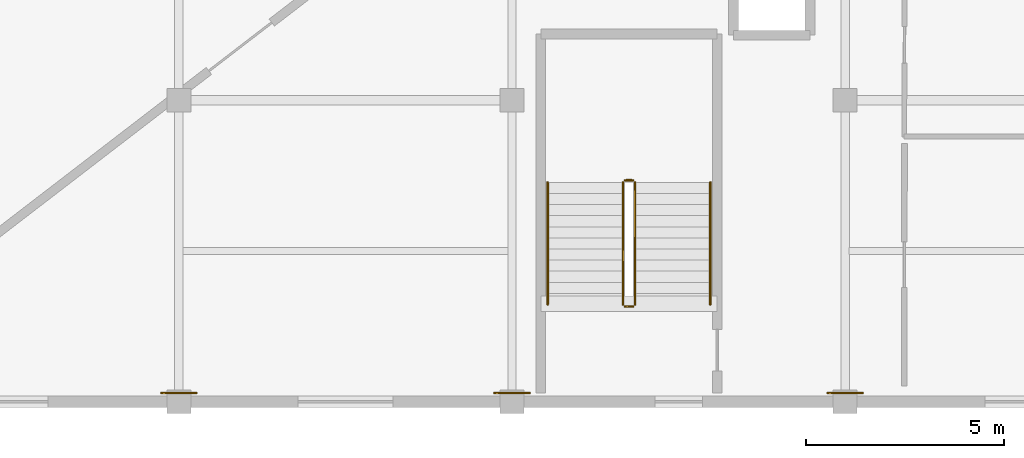
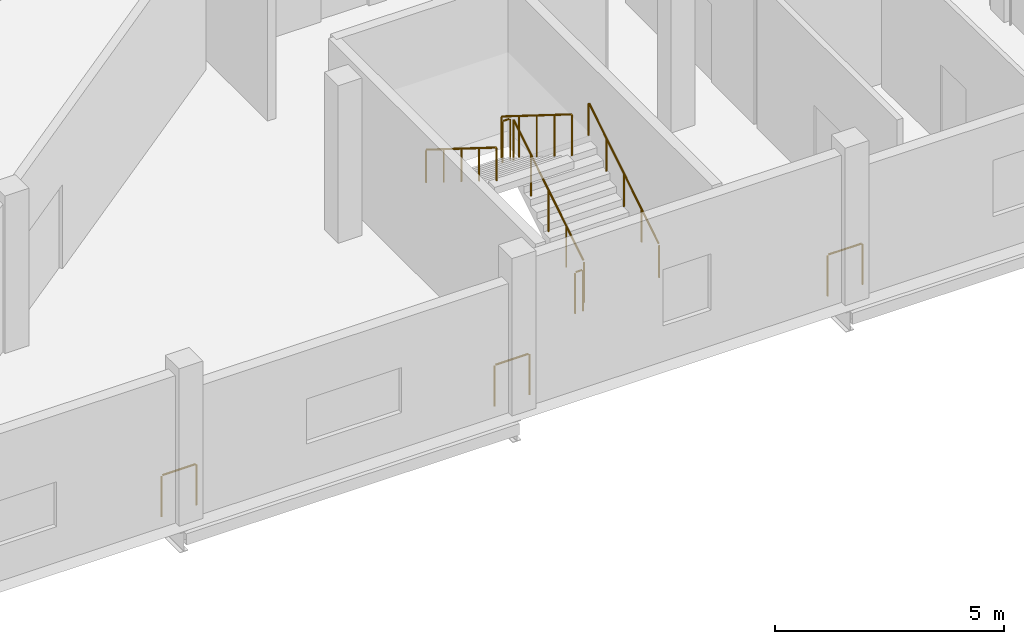
# One storey, part 208 of 217: 9 railings.
"""IFC4 building model written with IfcOpenShell, lengths in metres."""

from ifc_helpers import new_model, si_unit, direction, frame, origin, origin_2d, place, context, subcontext, project, spatial, circle, extrude, material, type_object, element, save


model = new_model("IFC4")

# Units and contexts
model_context = context("Model", 3, precision=1e-05, world=origin(), true_north=direction((0.0, 1.0)))
body_context = subcontext(model_context, "Body", "Model", "MODEL_VIEW")
ifc_project = project(units=[si_unit("LENGTHUNIT", "METRE"), si_unit("AREAUNIT", "SQUARE_METRE"), si_unit("VOLUMEUNIT", "CUBIC_METRE"), si_unit("PLANEANGLEUNIT", "RADIAN"), si_unit("MASSUNIT", "GRAM", prefix="KILO")], contexts=[model_context])

# Site, building, storey
site_placement = place(None, origin())
site = spatial("IfcSite", under=ifc_project, at=site_placement, CompositionType="ELEMENT")
building_placement = place(site_placement, origin())
building = spatial("IfcBuilding", under=site, at=building_placement, Name="Zuvorla Pavilion Media Centre", CompositionType="ELEMENT")
storey_placement = place(building_placement, frame((0.0, 0.0, 9.60009765625)))
storey = spatial("IfcBuildingStorey", under=building, at=storey_placement, Name="L02", CompositionType="ELEMENT", Elevation=9.60009765625)

# Railings
ifc_material_1 = material(Name="Powder-coated steel balustrade guard", Category="steel")
railing_type_1 = type_object("IfcRailingType", Name="RL-INT-GRD", PredefinedType="BALUSTRADE", material=ifc_material_1)
railing_1_placement = place(storey_placement, frame((95.10009765625, 8.449951171875, 0.1748046875)))
element("IfcRailing", 1, at=railing_1_placement, inside=storey, type_object=railing_type_1, Name="L02 ST-02 stair guard 1", PredefinedType="BALUSTRADE", context=body_context, shape_type="SweptSolid", body=[
    extrude(circle(Radius=0.02392578125, at=origin_2d()), frame((0.0, 0.0244140625, 1.111328125), z_axis=(0.0, 0.847998304005, 0.529998940003), x_axis=(-1.0, 0.0, 0.0)), (0.0, 0.0, 1.0), 3.574462890625),
    extrude(circle(Radius=0.02099609375, at=origin_2d()), origin(), (0.0, 0.0, 1.0), 1.070068359375),
    extrude(circle(Radius=0.02099609375, at=origin_2d()), frame((0.0, 0.77001953125, 0.481201171875)), (0.0, 0.0, 1.0), 1.070068359375),
    extrude(circle(Radius=0.02099609375, at=origin_2d()), frame((0.0, 1.5400390625, 0.96240234375)), (0.0, 0.0, 1.0), 1.070068359375),
    extrude(circle(Radius=0.02099609375, at=origin_2d()), frame((0.0, 2.31005859375, 1.44384765625)), (0.0, 0.0, 1.0), 1.070068359375),
    extrude(circle(Radius=0.02099609375, at=origin_2d()), frame((0.0, 3.080078125, 1.925048828125)), (0.0, 0.0, 1.0), 1.070068359375),
])
railing_2_placement = place(storey_placement, frame((95.050048828125, 11.580078125, 2.099853515625)))
element("IfcRailing", 2, at=railing_2_placement, inside=storey, type_object=railing_type_1, Name="L02 ST-02 stair guard 2", PredefinedType="BALUSTRADE", context=body_context, shape_type="SweptSolid", body=[
    extrude(circle(Radius=0.02392578125, at=origin_2d()), frame((-0.02880859375, 0.0, 1.09619140625), z_axis=(-1.0, 0.0, 0.0), x_axis=(0.0, -1.0, 0.0)), (0.0, 0.0, 1.0), 0.142333984375),
    extrude(circle(Radius=0.02099609375, at=origin_2d()), origin(), (0.0, 0.0, 1.0), 1.070068359375),
    extrude(circle(Radius=0.02099609375, at=origin_2d()), frame((-0.199951171875, 0.0, 0.0)), (0.0, 0.0, 1.0), 1.070068359375),
])
railing_3_placement = place(storey_placement, frame((94.800048828125, 11.530029296875, 2.27490234375)))
element("IfcRailing", 3, at=railing_3_placement, inside=storey, type_object=railing_type_1, Name="L02 ST-02 stair guard 3", PredefinedType="BALUSTRADE", context=body_context, shape_type="SweptSolid", body=[
    extrude(circle(Radius=0.02392578125, at=origin_2d()), frame((0.0, -0.0244140625, 1.111328125), z_axis=(0.0, -0.847998304005, 0.529998940003), x_axis=(1.0, 0.0, 0.0)), (0.0, 0.0, 1.0), 3.574462890625),
    extrude(circle(Radius=0.02099609375, at=origin_2d()), origin(), (0.0, 0.0, 1.0), 1.070068359375),
    extrude(circle(Radius=0.02099609375, at=origin_2d()), frame((0.0, -0.77001953125, 0.481201171875)), (0.0, 0.0, 1.0), 1.070068359375),
    extrude(circle(Radius=0.02099609375, at=origin_2d()), frame((0.0, -1.5400390625, 0.96240234375)), (0.0, 0.0, 1.0), 1.070068359375),
    extrude(circle(Radius=0.02099609375, at=origin_2d()), frame((0.0, -2.31005859375, 1.44384765625)), (0.0, 0.0, 1.0), 1.070068359375),
    extrude(circle(Radius=0.02099609375, at=origin_2d()), frame((0.0, -3.080078125, 1.925048828125)), (0.0, 0.0, 1.0), 1.070068359375),
])
railing_4_placement = place(storey_placement, frame((95.050048828125, 8.39990234375, 0.0)))
element("IfcRailing", 4, at=railing_4_placement, inside=storey, type_object=railing_type_1, Name="L02 ST-02 stair guard 4", PredefinedType="BALUSTRADE", context=body_context, shape_type="SweptSolid", body=[
    extrude(circle(Radius=0.02392578125, at=origin_2d()), frame((-0.02880859375, 0.0, 1.09619140625), z_axis=(-1.0, 0.0, 0.0), x_axis=(0.0, -1.0, 0.0)), (0.0, 0.0, 1.0), 0.142333984375),
    extrude(circle(Radius=0.02099609375, at=origin_2d()), origin(), (0.0, 0.0, 1.0), 1.070068359375),
    extrude(circle(Radius=0.02099609375, at=origin_2d()), frame((-0.199951171875, 0.0, 0.0)), (0.0, 0.0, 1.0), 1.070068359375),
])
railing_5_placement = place(storey_placement, frame((100.840087890625, 6.219970703125, 0.0)))
element("IfcRailing", 5, at=railing_5_placement, inside=storey, type_object=railing_type_1, Name="L02 slab edge guard 71", PredefinedType="BALUSTRADE", context=body_context, shape_type="SweptSolid", body=[
    extrude(circle(Radius=0.02392578125, at=origin_2d()), frame((-0.02880859375, 0.0, 1.09619140625), z_axis=(-1.0, 0.0, 0.0), x_axis=(0.0, -1.0, 0.0)), (0.0, 0.0, 1.0), 0.822509765625),
    extrude(circle(Radius=0.02099609375, at=origin_2d()), origin(), (0.0, 0.0, 1.0), 1.070068359375),
    extrude(circle(Radius=0.02099609375, at=origin_2d()), frame((-0.880126953125, 0.0, 0.0)), (0.0, 0.0, 1.0), 1.070068359375),
])
railing_6_placement = place(storey_placement, frame((92.43994140625, 6.219970703125, 0.0)))
element("IfcRailing", 6, at=railing_6_placement, inside=storey, type_object=railing_type_1, Name="L02 slab edge guard 72", PredefinedType="BALUSTRADE", context=body_context, shape_type="SweptSolid", body=[
    extrude(circle(Radius=0.02392578125, at=origin_2d()), frame((-0.02880859375, 0.0, 1.09619140625), z_axis=(-1.0, 0.0, 0.0), x_axis=(0.0, -1.0, 0.0)), (0.0, 0.0, 1.0), 0.822265625),
    extrude(circle(Radius=0.02099609375, at=origin_2d()), origin(), (0.0, 0.0, 1.0), 1.070068359375),
    extrude(circle(Radius=0.02099609375, at=origin_2d()), frame((-0.8798828125, 0.0, 0.0)), (0.0, 0.0, 1.0), 1.070068359375),
])
railing_7_placement = place(storey_placement, frame((84.0400390625, 6.219970703125, 0.0)))
element("IfcRailing", 7, at=railing_7_placement, inside=storey, type_object=railing_type_1, Name="L02 slab edge guard 73", PredefinedType="BALUSTRADE", context=body_context, shape_type="SweptSolid", body=[
    extrude(circle(Radius=0.02392578125, at=origin_2d()), frame((-0.02880859375, 0.0, 1.09619140625), z_axis=(-1.0, 0.0, 0.0), x_axis=(0.0, -1.0, 0.0)), (0.0, 0.0, 1.0), 0.822509765625),
    extrude(circle(Radius=0.02099609375, at=origin_2d()), origin(), (0.0, 0.0, 1.0), 1.070068359375),
    extrude(circle(Radius=0.02099609375, at=origin_2d()), frame((-0.880126953125, 0.0, 0.0)), (0.0, 0.0, 1.0), 1.070068359375),
])
ifc_material_2 = material(Name="Brushed stainless steel tubular handrail", Category="steel")
railing_type_2 = type_object("IfcRailingType", Name="RL-INT-HND", PredefinedType="HANDRAIL", material=ifc_material_2)
railing_8_placement = place(storey_placement, frame((97.0, 8.449951171875, 0.1748046875)))
element("IfcRailing", 8, at=railing_8_placement, inside=storey, type_object=railing_type_2, Name="L02 ST-02 handrail 1", PredefinedType="HANDRAIL", context=body_context, shape_type="SweptSolid", body=[
    extrude(circle(Radius=0.02392578125, at=origin_2d()), frame((0.0, 0.0244140625, 0.89111328125), z_axis=(0.0, 0.847998304005, 0.529998940003), x_axis=(-1.0, 0.0, 0.0)), (0.0, 0.0, 1.0), 3.574462890625),
    extrude(circle(Radius=0.02099609375, at=origin_2d()), origin(), (0.0, 0.0, 1.0), 0.849853515625),
    extrude(circle(Radius=0.02099609375, at=origin_2d()), frame((0.0, 0.77001953125, 0.481201171875)), (0.0, 0.0, 1.0), 0.849853515625),
    extrude(circle(Radius=0.02099609375, at=origin_2d()), frame((0.0, 1.5400390625, 0.96240234375)), (0.0, 0.0, 1.0), 0.849853515625),
    extrude(circle(Radius=0.02099609375, at=origin_2d()), frame((0.0, 2.31005859375, 1.44384765625)), (0.0, 0.0, 1.0), 0.849853515625),
    extrude(circle(Radius=0.02099609375, at=origin_2d()), frame((0.0, 3.080078125, 1.925048828125)), (0.0, 0.0, 1.0), 0.849853515625),
])
railing_9_placement = place(storey_placement, frame((92.89990234375, 11.530029296875, 2.27490234375)))
element("IfcRailing", 9, at=railing_9_placement, inside=storey, type_object=railing_type_2, Name="L02 ST-02 handrail 2", PredefinedType="HANDRAIL", context=body_context, shape_type="SweptSolid", body=[
    extrude(circle(Radius=0.02392578125, at=origin_2d()), frame((0.0, -0.0244140625, 0.89111328125), z_axis=(0.0, -0.847998304005, 0.529998940003), x_axis=(1.0, 0.0, 0.0)), (0.0, 0.0, 1.0), 3.574462890625),
    extrude(circle(Radius=0.02099609375, at=origin_2d()), origin(), (0.0, 0.0, 1.0), 0.849853515625),
    extrude(circle(Radius=0.02099609375, at=origin_2d()), frame((0.0, -0.77001953125, 0.481201171875)), (0.0, 0.0, 1.0), 0.849853515625),
    extrude(circle(Radius=0.02099609375, at=origin_2d()), frame((0.0, -1.5400390625, 0.96240234375)), (0.0, 0.0, 1.0), 0.849853515625),
    extrude(circle(Radius=0.02099609375, at=origin_2d()), frame((0.0, -2.31005859375, 1.44384765625)), (0.0, 0.0, 1.0), 0.849853515625),
    extrude(circle(Radius=0.02099609375, at=origin_2d()), frame((0.0, -3.080078125, 1.925048828125)), (0.0, 0.0, 1.0), 0.849853515625),
])

save(model, "model.ifc")
